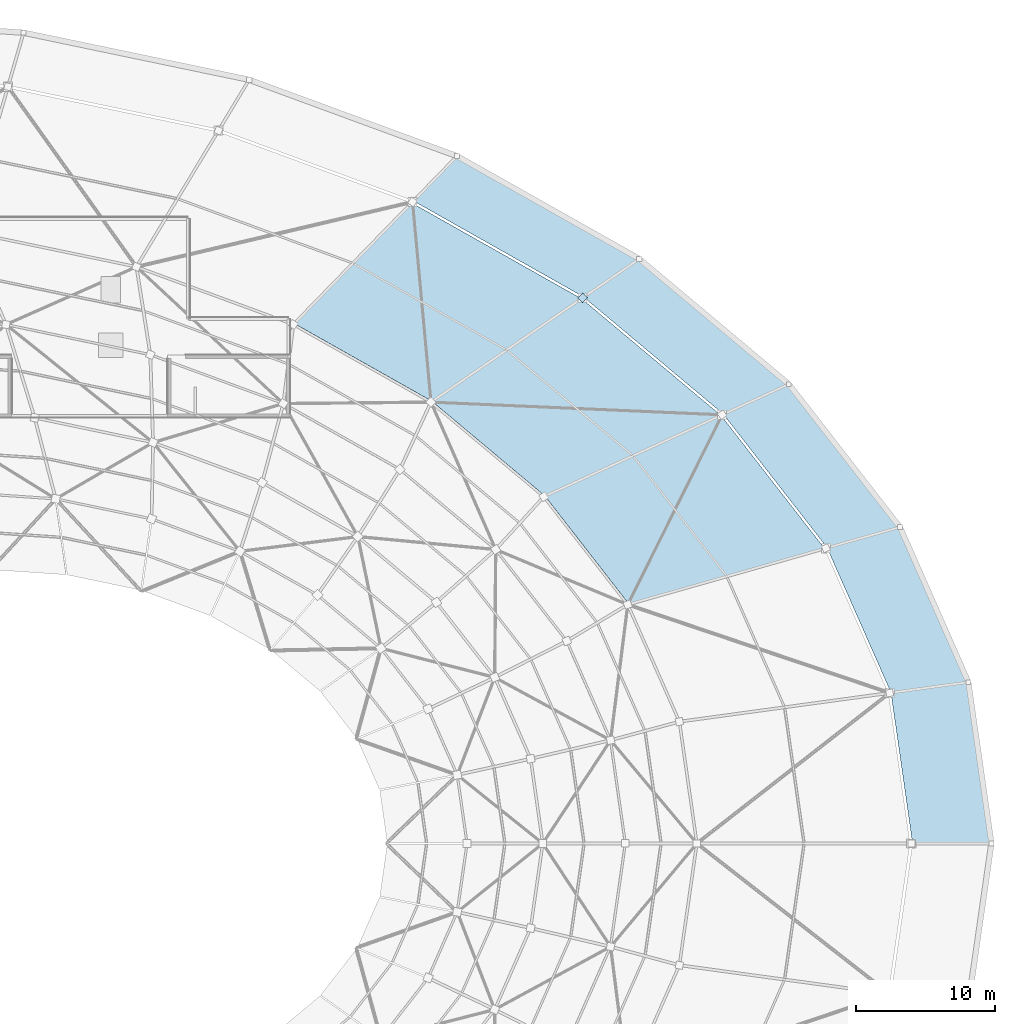
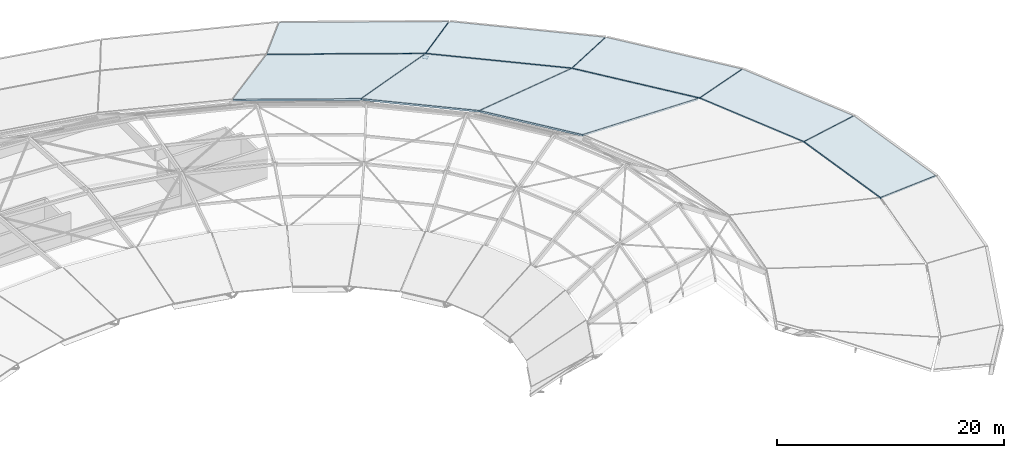
# One storey, part 17 of 30: 8 slabs, 1 plate.
"""IFC4 building model written with IfcOpenShell, lengths in metres."""

from ifc_helpers import new_model, si_unit, direction, frame, origin, origin_2d, place, context, subcontext, project, spatial, polyline, rectangle, outline, extrude, material, layer, layer_set, type_object, element, save


model = new_model("IFC4")

# Units and contexts
model_context = context("Model", 3, precision=1e-05, world=origin(), true_north=direction((0.0, 1.0)))
body_context = subcontext(model_context, "Body", "Model", "MODEL_VIEW")
ifc_project = project(units=[si_unit("LENGTHUNIT", "METRE"), si_unit("AREAUNIT", "SQUARE_METRE"), si_unit("VOLUMEUNIT", "CUBIC_METRE"), si_unit("PLANEANGLEUNIT", "RADIAN"), si_unit("MASSUNIT", "GRAM", prefix="KILO")], contexts=[model_context])

# Site, building, storey
site_placement = place(None, origin())
site = spatial("IfcSite", under=ifc_project, at=site_placement, CompositionType="ELEMENT")
building_placement = place(site_placement, origin())
building = spatial("IfcBuilding", under=site, at=building_placement, Name="Namkhue Oval Health Centre", CompositionType="ELEMENT")
storey_placement = place(building_placement, frame((0.0, 0.0, 26.39990234375)))
storey = spatial("IfcBuildingStorey", under=building, at=storey_placement, Name="RF", CompositionType="ELEMENT", Elevation=26.39990234375)

# Plate
ifc_material_1 = material(Name="Structural steel EN 10025-2 S355JR (TCVN 5575:2024)", Category="steel")
ifc_layer_1 = layer(ifc_material_1, 0.02001953125)
ifc_layer_set_1 = layer_set([ifc_layer_1], Name="Structural steel EN 10025-2 S355JR (TCVN 5575:2024)")
plate_type = type_object("IfcPlateType", Name="GRIDSHELL GUSSET PLATE 500X500X20", PredefinedType="USERDEFINED", material=ifc_layer_set_1)
plate_placement = place(storey_placement, frame((143.421142578125, 98.60205078125, 0.31005859375), z_axis=(0.0, 0.0, 1.0), x_axis=(0.707106781187, 0.707106781187, 0.0)))
element("IfcPlate", 1, at=plate_placement, inside=storey, type_object=plate_type, Name="Gridshell Node Gusset Plate K1-5", ObjectType="GUSSET_PLATE", PredefinedType="USERDEFINED", context=body_context, shape_type="SweptSolid", body=[
    extrude(rectangle(XDim=0.5, YDim=0.5, at=origin_2d()), origin(), (0.0, 0.0, 1.0), 0.02001953125),
])

# Slabs
ifc_material_2 = material(Name="Reinforced concrete C30/37 (TCVN B35)", Category="concrete")
ifc_layer_2 = layer(ifc_material_2, 0.159912109375)
ifc_layer_set_2 = layer_set([ifc_layer_2], Name="Reinforced concrete C30/37 (TCVN B35)")
slab_type_1 = type_object("IfcSlabType", Name="GRIDSHELL ROOF PANEL 160", PredefinedType="ROOF", material=ifc_layer_set_2)
slab_1_placement = place(storey_placement, frame((172.703369140625, 59.44189453125, 1.095703125), z_axis=(-0.069239029884, -0.009919525059, 0.997550780544), x_axis=(-0.141815844047, 0.989893058051, 7.7722e-08)))
element("IfcSlab", 2, at=slab_1_placement, inside=storey, type_object=slab_type_1, Name="Gridshell Planar Roof Panel K0-1", PredefinedType="ROOF", context=body_context, shape_type="SweptSolid", body=[
    extrude(outline(polyline([(0.0, 0.0), (11.610017545639138, 2.220446049250313e-16), (11.645225684002654, 5.535813947353545), (0.7911357209959446, 5.535788986021031), (0.0, 0.0)])), origin(), (0.0, 0.0, -1.0), 0.159912109375),
])
slab_2_placement = place(storey_placement, frame((171.02978515625, 71.015625, 1.095458984375), z_axis=(-0.066567281036, -0.029371918893, 0.997349531246), x_axis=(-0.403689942351, 0.914895857704, -2.95699e-07)))
element("IfcSlab", 3, at=slab_2_placement, inside=storey, type_object=slab_type_1, Name="Gridshell Planar Roof Panel K0-2", PredefinedType="ROOF", context=body_context, shape_type="SweptSolid", body=[
    extrude(outline(polyline([(0.0, 0.0), (12.080332538265788, 0.0), (12.817139372572463, 5.314991723707332), (1.5221905609516495, 5.315086722570571), (0.0, 0.0)])), origin(), (0.0, 0.0, -1.0), 0.159912109375),
])
slab_3_placement = place(storey_placement, frame((166.102294921875, 82.140625, 1.09521484375), z_axis=(-0.061389289614, -0.047728135285, 0.996972106041), x_axis=(-0.613788661898, 0.789470378497, -1.01205e-07)))
element("IfcSlab", 4, at=slab_3_placement, inside=storey, type_object=slab_type_1, Name="Gridshell Planar Roof Panel K0-3", PredefinedType="ROOF", context=body_context, shape_type="SweptSolid", body=[
    extrude(outline(polyline([(0.0, 0.0), (12.904530024973468, -8.881784197001252e-16), (14.06527194565028, 4.966936416449138), (1.9975871816261366, 4.966968917886896), (0.0, 0.0)])), origin(), (0.0, 0.0, -1.0), 0.159912109375),
])
slab_4_placement = place(storey_placement, frame((158.11328125, 92.38916015625, 1.094482421875), z_axis=(-0.05372819728, -0.064135721203, 0.996493798316), x_axis=(-0.766561354027, 0.642171075736, 1.45933e-07)))
element("IfcSlab", 5, at=slab_4_placement, inside=storey, type_object=slab_type_1, Name="Gridshell Planar Roof Panel K0-4", PredefinedType="ROOF", context=body_context, shape_type="SweptSolid", body=[
    extrude(outline(polyline([(0.0, 0.0), (13.90964690520945, 1.7763568394002505e-15), (15.183595004228795, 4.598819206378969), (2.1733978131219476, 4.598772252299588), (0.0, 0.0)])), origin(), (0.0, 0.0, -1.0), 0.159912109375),
])
slab_5_placement = place(storey_placement, frame((147.37109375, 101.36865234375, 1.093994140625), z_axis=(-0.044082287911, -0.078130329397, 0.995968073545), x_axis=(-0.870939486541, 0.491390283566, -5.22588e-07)))
element("IfcSlab", 6, at=slab_5_placement, inside=storey, type_object=slab_type_1, Name="Gridshell Planar Roof Panel K0-5", PredefinedType="ROOF", context=body_context, shape_type="SweptSolid", body=[
    extrude(outline(polyline([(0.0, 0.0), (14.92248530113261, 8.881784197001252e-16), (16.044337018252133, 4.278090915361626), (2.0835298365099213, 4.278259172458242), (0.0, 0.0)])), origin(), (0.0, 0.0, -1.0), 0.159912109375),
])
ifc_layer_3 = layer(ifc_material_2, 0.1650390625)
ifc_layer_set_3 = layer_set([ifc_layer_3], Name="Reinforced concrete C30/37 (TCVN B35)")
slab_type_2 = type_object("IfcSlabType", Name="GRIDSHELL ROOF PANEL 165", PredefinedType="ROOF", material=ifc_layer_set_3)
slab_6_placement = place(storey_placement, frame((160.783447265625, 80.625732421875, 0.729248046875), z_axis=(0.195064944908, 0.151653801848, 0.968994732521), x_axis=(-0.613781870865, 0.789475658268, 3.52719e-07)))
element("IfcSlab", 7, at=slab_6_placement, inside=storey, type_object=slab_type_2, Name="Gridshell Planar Roof Panel K1-3", PredefinedType="ROOF", context=body_context, shape_type="SweptSolid", body=[
    extrude(outline(polyline([(0.0, 0.0), (12.037942746398443, 1.7763568394002505e-15), (15.214233021555838, 13.985517807089472), (5.4665765880411366, 13.985548906937982), (0.0, 0.0)])), origin(), (0.0, 0.0, -1.0), 0.1650390625),
])
slab_7_placement = place(storey_placement, frame((153.3271484375, 90.1904296875, 0.73095703125), z_axis=(0.170139960284, 0.203102081607, 0.964262380455), x_axis=(-0.766575858365, 0.642153761467, 2.510138e-06)))
element("IfcSlab", 8, at=slab_7_placement, inside=storey, type_object=slab_type_2, Name="Gridshell Planar Roof Panel K1-4", PredefinedType="ROOF", context=body_context, shape_type="SweptSolid", body=[
    extrude(outline(polyline([(0.0, 0.0), (12.975905292045697, -8.881784197001252e-16), (16.469634417981176, 13.030239962344657), (5.959540652896145, 13.030462469543908), (0.0, 0.0)])), origin(), (0.0, 0.0, -1.0), 0.1650390625),
])
slab_8_placement = place(storey_placement, frame((143.301513671875, 98.5703125, 0.732421875), z_axis=(0.138902518035, 0.246184750293, 0.95921799358), x_axis=(-0.870933695301, 0.491400547811, -4.56453e-07)))
element("IfcSlab", 9, at=slab_8_placement, inside=storey, type_object=slab_type_2, Name="Gridshell Planar Roof Panel K1-5", PredefinedType="ROOF", context=body_context, shape_type="SweptSolid", body=[
    extrude(outline(polyline([(0.0, 0.0), (13.921561245105195, 0.0), (17.00337112040259, 12.202422015107608), (5.723855332199695, 12.202381320271192), (0.0, 0.0)])), origin(), (0.0, 0.0, -1.0), 0.1650390625),
])

save(model, "model.ifc")
